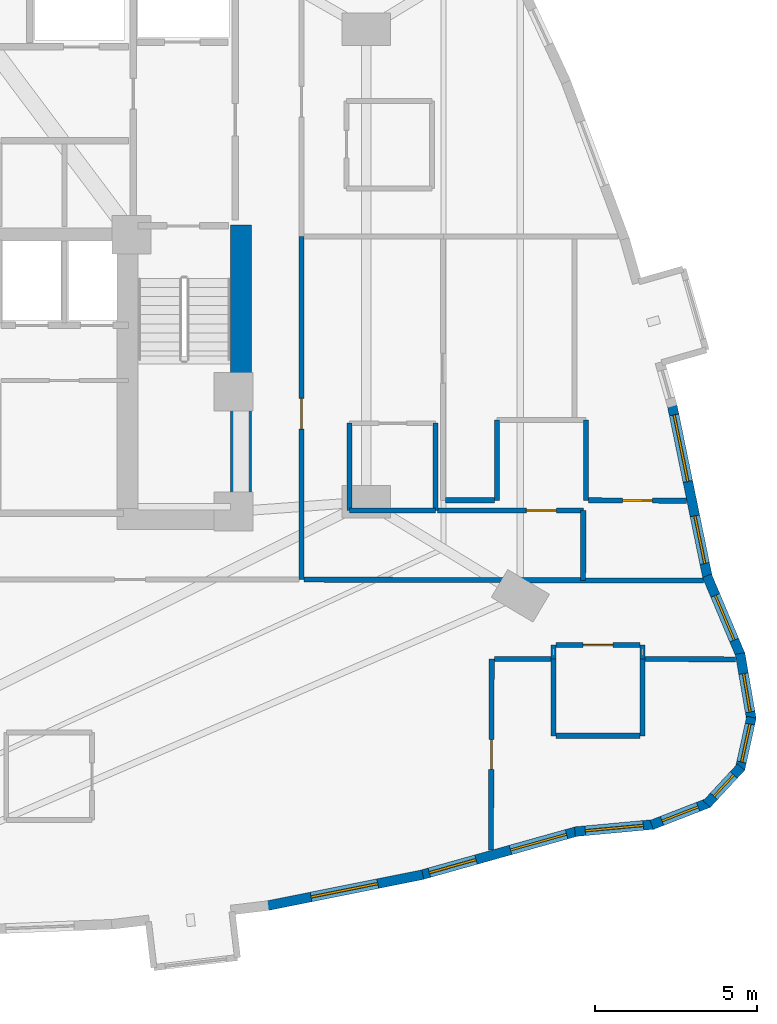
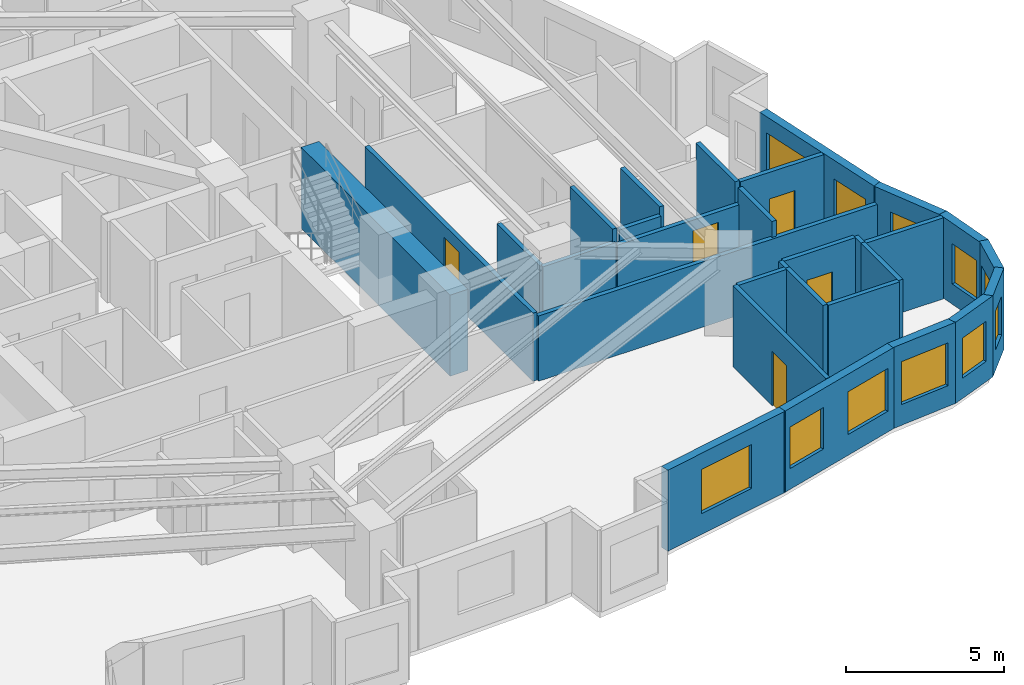
# One storey, part 9 of 13: 30 walls, 11 windows, 5 doors, 16 openings.
"""IFC4 building model written with IfcOpenShell, lengths in metres."""

from ifc_helpers import new_model, si_unit, direction, frame, frame_2d, origin, place, context, subcontext, project, spatial, rectangle, extrude, material, layer, layer_set, type_object, element, fill, save


model = new_model("IFC4")

# Units and contexts
model_context = context("Model", 3, precision=1e-05, world=origin(), true_north=direction((0.0, 1.0)))
body_context = subcontext(model_context, "Body", "Model", "MODEL_VIEW")
ifc_project = project(units=[si_unit("LENGTHUNIT", "METRE"), si_unit("AREAUNIT", "SQUARE_METRE"), si_unit("VOLUMEUNIT", "CUBIC_METRE"), si_unit("PLANEANGLEUNIT", "RADIAN"), si_unit("MASSUNIT", "GRAM", prefix="KILO")], contexts=[model_context])

# Site, building, storey
site_placement = place(None, origin())
site = spatial("IfcSite", under=ifc_project, at=site_placement, CompositionType="ELEMENT")
building_placement = place(site_placement, origin())
building = spatial("IfcBuilding", under=site, at=building_placement, Name="Miruveldt Soraemaru", CompositionType="ELEMENT")
storey_placement = place(building_placement, frame((0.0, 0.0, 59.800048828125)))
storey = spatial("IfcBuildingStorey", under=building, at=storey_placement, Name="L16", CompositionType="ELEMENT", Elevation=59.800048828125)

# Wall
ifc_material_1 = material(Name="Concrete C80/95 (80 MPa)", Category="concrete")
ifc_layer_1 = layer(ifc_material_1, 0.64990234375, Name="Concrete C80/95 (80 MPa)", Category="concrete")
ifc_layer_set_1 = layer_set([ifc_layer_1], Name="Concrete C80/95 (80 MPa)")
wall_type_1 = type_object("IfcWallType", Name="WALL-CW-650", PredefinedType="SHEAR", material=ifc_layer_set_1)
wall_1_placement = place(storey_placement, frame((52.72509765625, 34.949951171875, 0.0), z_axis=(0.0, 0.0, 1.0), x_axis=(0.0, 1.0, 0.0)))
element("IfcWall", 1, at=wall_1_placement, inside=storey, type_object=wall_type_1, Name="L16 Central Core Shear Wall E1", PredefinedType="SHEAR", context=body_context, shape_type="SweptSolid", body=[
    extrude(rectangle(XDim=9.400146484375, YDim=0.64990234375, at=frame_2d((4.7001953125, 0.0))), origin(), (0.0, 0.0, 1.0), 3.125),
])

# Wall, opening, window
ifc_material_2 = material(Name="Precast concrete C45/55 (45 MPa)", Category="concrete")
ifc_layer_2 = layer(ifc_material_2, 0.300048828125, Name="Precast concrete C45/55 (45 MPa)", Category="concrete")
ifc_layer_set_2 = layer_set([ifc_layer_2], Name="Precast concrete C45/55 (45 MPa)")
wall_type_2 = type_object("IfcWallType", Name="WALL-EXT-PC300", PredefinedType="SOLIDWALL", material=ifc_layer_set_2)
wall_2_placement = place(storey_placement, frame((53.50390625, 23.322265625, 0.0), z_axis=(0.0, 0.0, 1.0), x_axis=(0.980580675691, 0.196116135138, 0.0)))
wall_2 = element("IfcWall", 2, at=wall_2_placement, inside=storey, type_object=wall_type_2, Name="L16 Precast Concrete Facade Wall 27", PredefinedType="SOLIDWALL", context=body_context, shape_type="SweptSolid", body=[
    extrude(rectangle(XDim=4.933349609375, YDim=0.300048828125, at=frame_2d((2.466796875, 0.0))), origin(), (0.0, 0.0, 1.0), 3.125),
])
opening_1_placement = place(wall_2_placement, frame((1.416015625, 0.0, 0.800048828125)))
opening_1 = element("IfcOpeningElement", 3, at=opening_1_placement, cuts=wall_2, Name="Opening WN-1", PredefinedType="OPENING", context=body_context, shape_type="SweptSolid", body=[
    extrude(rectangle(XDim=2.10009765625, YDim=1.699951171875, at=frame_2d((1.050048828125, 0.85009765625))), frame((0.0, 0.16015625, 0.0), z_axis=(0.0, -1.0, 0.0), x_axis=(1.0, 0.0, 0.0)), (0.0, 0.0, 1.0), 0.320068359375),
])
ifc_material_3 = material(Name="Triple low-e insulated glazing", Category="glass")
window_type_1 = type_object("IfcWindowType", Name="WIN-PUNCH-2100x1700", PartitioningType="SINGLE_PANEL", PredefinedType="WINDOW", material=ifc_material_3)
window_1_placement = place(opening_1_placement, origin())
window_1 = element("IfcWindow", 4, at=window_1_placement, inside=storey, type_object=window_type_1, Name="L16 Punched Triple-Glazed Window 27.1", OverallHeight=1.699951171875, OverallWidth=2.10009765625, PartitioningType="SINGLE_PANEL", PredefinedType="WINDOW", context=body_context, shape_type="SweptSolid", body=[
    extrude(rectangle(XDim=2.10009765625, YDim=1.699951171875, at=frame_2d((1.050048828125, 0.85009765625))), frame((0.0, 0.030029296875, 0.0), z_axis=(0.0, -1.0, 0.0), x_axis=(1.0, 0.0, 0.0)), (0.0, 0.0, 1.0), 0.06005859375),
])
fill(opening_1, window_1)

# Wall, openings, windows
wall_3_placement = place(storey_placement, frame((58.2734375, 24.2734375, 0.0), z_axis=(0.0, 0.0, 1.0), x_axis=(0.962965029361, 0.269626319614, 0.0)))
wall_3 = element("IfcWall", 5, at=wall_3_placement, inside=storey, type_object=wall_type_2, Name="L16 Precast Concrete Facade Wall 28", PredefinedType="SOLIDWALL", context=body_context, shape_type="SweptSolid", body=[
    extrude(rectangle(XDim=5.022705078125, YDim=0.300048828125, at=frame_2d((2.51123046875, 0.0))), origin(), (0.0, 0.0, 1.0), 3.125),
])
opening_2_placement = place(wall_3_placement, frame((0.281982421875, 0.0, 0.800048828125)))
opening_2 = element("IfcOpeningElement", 6, at=opening_2_placement, cuts=wall_3, Name="Opening WN-3", PredefinedType="OPENING", context=body_context, shape_type="SweptSolid", body=[
    extrude(rectangle(XDim=1.5, YDim=1.60009765625, at=frame_2d((0.75, 0.800048828125))), frame((0.0, 0.16015625, 0.0), z_axis=(0.0, -1.0, 0.0), x_axis=(1.0, 0.0, 0.0)), (0.0, 0.0, 1.0), 0.320068359375),
])
opening_3_placement = place(wall_3_placement, frame((2.884033203125, 0.0, 0.800048828125)))
opening_3 = element("IfcOpeningElement", 7, at=opening_3_placement, cuts=wall_3, Name="Opening WN-2", PredefinedType="OPENING", context=body_context, shape_type="SweptSolid", body=[
    extrude(rectangle(XDim=1.800048828125, YDim=1.64990234375, at=frame_2d((0.89990234375, 0.824951171875))), frame((0.0, 0.16015625, 0.0), z_axis=(0.0, -1.0, 0.0), x_axis=(1.0, 0.0, 0.0)), (0.0, 0.0, 1.0), 0.320068359375),
])
window_type_2 = type_object("IfcWindowType", Name="WIN-PUNCH-1500x1600", PartitioningType="SINGLE_PANEL", PredefinedType="WINDOW", material=ifc_material_3)
window_2_placement = place(opening_2_placement, origin())
window_2 = element("IfcWindow", 8, at=window_2_placement, inside=storey, type_object=window_type_2, Name="L16 Punched Triple-Glazed Window 28.1", OverallHeight=1.60009765625, OverallWidth=1.5, PartitioningType="SINGLE_PANEL", PredefinedType="WINDOW", context=body_context, shape_type="SweptSolid", body=[
    extrude(rectangle(XDim=1.5, YDim=1.60009765625, at=frame_2d((0.75, 0.800048828125))), frame((0.0, 0.030029296875, 0.0), z_axis=(0.0, -1.0, 0.0), x_axis=(1.0, 0.0, 0.0)), (0.0, 0.0, 1.0), 0.06005859375),
])
fill(opening_2, window_2)
window_type_3 = type_object("IfcWindowType", Name="WIN-PUNCH-1800x1650", PartitioningType="SINGLE_PANEL", PredefinedType="WINDOW", material=ifc_material_3)
window_3_placement = place(opening_3_placement, origin())
window_3 = element("IfcWindow", 9, at=window_3_placement, inside=storey, type_object=window_type_3, Name="L16 Punched Triple-Glazed Window 28.2", OverallHeight=1.64990234375, OverallWidth=1.800048828125, PartitioningType="SINGLE_PANEL", PredefinedType="WINDOW", context=body_context, shape_type="SweptSolid", body=[
    extrude(rectangle(XDim=1.800048828125, YDim=1.64990234375, at=frame_2d((0.89990234375, 0.824951171875))), frame((0.0, 0.030029296875, 0.0), z_axis=(0.0, -1.0, 0.0), x_axis=(1.0, 0.0, 0.0)), (0.0, 0.0, 1.0), 0.06005859375),
])
fill(opening_3, window_3)

# Wall, opening, window
wall_4_placement = place(storey_placement, frame((63.04150390625, 25.614990234375, 0.0), z_axis=(0.0, 0.0, 1.0), x_axis=(0.995757962067, 0.092011308982, 0.0)))
wall_4 = element("IfcWall", 10, at=wall_4_placement, inside=storey, type_object=wall_type_2, Name="L16 Precast Concrete Facade Wall 29", PredefinedType="SOLIDWALL", context=body_context, shape_type="SweptSolid", body=[
    extrude(rectangle(XDim=2.446533203125, YDim=0.300048828125, at=frame_2d((1.22314453125, 0.0))), origin(), (0.0, 0.0, 1.0), 3.125),
])
opening_4_placement = place(wall_4_placement, frame((0.323974609375, 0.0, 0.800048828125)))
opening_4 = element("IfcOpeningElement", 11, at=opening_4_placement, cuts=wall_4, Name="Opening WN-2", PredefinedType="OPENING", context=body_context, shape_type="SweptSolid", body=[
    extrude(rectangle(XDim=1.800048828125, YDim=1.64990234375, at=frame_2d((0.89990234375, 0.824951171875))), frame((0.0, 0.16015625, 0.0), z_axis=(0.0, -1.0, 0.0), x_axis=(1.0, 0.0, 0.0)), (0.0, 0.0, 1.0), 0.320068359375),
])
window_4_placement = place(opening_4_placement, origin())
window_4 = element("IfcWindow", 12, at=window_4_placement, inside=storey, type_object=window_type_3, Name="L16 Punched Triple-Glazed Window 29.1", OverallHeight=1.64990234375, OverallWidth=1.800048828125, PartitioningType="SINGLE_PANEL", PredefinedType="WINDOW", context=body_context, shape_type="SweptSolid", body=[
    extrude(rectangle(XDim=1.800048828125, YDim=1.64990234375, at=frame_2d((0.89990234375, 0.824951171875))), frame((0.0, 0.030029296875, 0.0), z_axis=(0.0, -1.0, 0.0), x_axis=(1.0, 0.0, 0.0)), (0.0, 0.0, 1.0), 0.06005859375),
])
fill(opening_4, window_4)

wall_5_placement = place(storey_placement, frame((65.41015625, 25.82421875, 0.0), z_axis=(0.0, 0.0, 1.0), x_axis=(0.932272084915, 0.361757874397, 0.0)))
wall_5 = element("IfcWall", 13, at=wall_5_placement, inside=storey, type_object=wall_type_2, Name="L16 Precast Concrete Facade Wall 30", PredefinedType="SOLIDWALL", context=body_context, shape_type="SweptSolid", body=[
    extrude(rectangle(XDim=1.8828125, YDim=0.300048828125, at=frame_2d((0.94140625, 0.0))), origin(), (0.0, 0.0, 1.0), 3.125),
])
opening_5_placement = place(wall_5_placement, frame((0.342041015625, 0.0, 0.780029296875)))
opening_5 = element("IfcOpeningElement", 14, at=opening_5_placement, cuts=wall_5, Name="Opening WN-4", PredefinedType="OPENING", context=body_context, shape_type="SweptSolid", body=[
    extrude(rectangle(XDim=1.199951171875, YDim=1.550048828125, at=frame_2d((0.60009765625, 0.77490234375))), frame((0.0, 0.16015625, 0.0), z_axis=(0.0, -1.0, 0.0), x_axis=(1.0, 0.0, 0.0)), (0.0, 0.0, 1.0), 0.320068359375),
])
window_type_4 = type_object("IfcWindowType", Name="WIN-PUNCH-1200x1550", PartitioningType="SINGLE_PANEL", PredefinedType="WINDOW", material=ifc_material_3)
window_5_placement = place(opening_5_placement, origin())
window_5 = element("IfcWindow", 15, at=window_5_placement, inside=storey, type_object=window_type_4, Name="L16 Punched Triple-Glazed Window 30.1", OverallHeight=1.550048828125, OverallWidth=1.199951171875, PartitioningType="SINGLE_PANEL", PredefinedType="WINDOW", context=body_context, shape_type="SweptSolid", body=[
    extrude(rectangle(XDim=1.199951171875, YDim=1.550048828125, at=frame_2d((0.60009765625, 0.77490234375))), frame((0.0, 0.030029296875, 0.0), z_axis=(0.0, -1.0, 0.0), x_axis=(1.0, 0.0, 0.0)), (0.0, 0.0, 1.0), 0.06005859375),
])
fill(opening_5, window_5)

wall_6_placement = place(storey_placement, frame((67.109130859375, 26.466796875, 0.0), z_axis=(0.0, 0.0, 1.0), x_axis=(0.68010312741, 0.733116454656, 0.0)))
wall_6 = element("IfcWall", 16, at=wall_6_placement, inside=storey, type_object=wall_type_2, Name="L16 Precast Concrete Facade Wall 31", PredefinedType="SOLIDWALL", context=body_context, shape_type="SweptSolid", body=[
    extrude(rectangle(XDim=1.561279296875, YDim=0.300048828125, at=frame_2d((0.78076171875, 0.0))), origin(), (0.0, 0.0, 1.0), 3.125),
])
opening_6_placement = place(wall_6_placement, frame((0.330078125, 0.0, 0.780029296875)))
opening_6 = element("IfcOpeningElement", 17, at=opening_6_placement, cuts=wall_6, Name="Opening WN-7", PredefinedType="OPENING", context=body_context, shape_type="SweptSolid", body=[
    extrude(rectangle(XDim=0.89990234375, YDim=1.5, at=frame_2d((0.449951171875, 0.75))), frame((0.0, 0.16015625, 0.0), z_axis=(0.0, -1.0, 0.0), x_axis=(1.0, 0.0, 0.0)), (0.0, 0.0, 1.0), 0.320068359375),
])
window_type_5 = type_object("IfcWindowType", Name="WIN-PUNCH-900x1500", PartitioningType="SINGLE_PANEL", PredefinedType="WINDOW", material=ifc_material_3)
window_6_placement = place(opening_6_placement, origin())
window_6 = element("IfcWindow", 18, at=window_6_placement, inside=storey, type_object=window_type_5, Name="L16 Punched Triple-Glazed Window 31.1", OverallHeight=1.5, OverallWidth=0.89990234375, PartitioningType="SINGLE_PANEL", PredefinedType="WINDOW", context=body_context, shape_type="SweptSolid", body=[
    extrude(rectangle(XDim=0.89990234375, YDim=1.5, at=frame_2d((0.449951171875, 0.75))), frame((0.0, 0.030029296875, 0.0), z_axis=(0.0, -1.0, 0.0), x_axis=(1.0, 0.0, 0.0)), (0.0, 0.0, 1.0), 0.06005859375),
])
fill(opening_6, window_6)

wall_7_placement = place(storey_placement, frame((68.1396484375, 27.551513671875, 0.0), z_axis=(0.0, 0.0, 1.0), x_axis=(0.215809114489, 0.976435571916, 0.0)))
wall_7 = element("IfcWall", 19, at=wall_7_placement, inside=storey, type_object=wall_type_2, Name="L16 Precast Concrete Facade Wall 32", PredefinedType="SOLIDWALL", context=body_context, shape_type="SweptSolid", body=[
    extrude(rectangle(XDim=1.636962890625, YDim=0.300048828125, at=frame_2d((0.818359375, 0.0))), origin(), (0.0, 0.0, 1.0), 3.125),
])
opening_7_placement = place(wall_7_placement, frame((0.218994140625, 0.0, 0.780029296875)))
opening_7 = element("IfcOpeningElement", 20, at=opening_7_placement, cuts=wall_7, Name="Opening WN-4", PredefinedType="OPENING", context=body_context, shape_type="SweptSolid", body=[
    extrude(rectangle(XDim=1.199951171875, YDim=1.550048828125, at=frame_2d((0.60009765625, 0.77490234375))), frame((0.0, 0.16015625, 0.0), z_axis=(0.0, -1.0, 0.0), x_axis=(1.0, 0.0, 0.0)), (0.0, 0.0, 1.0), 0.320068359375),
])
window_7_placement = place(opening_7_placement, origin())
window_7 = element("IfcWindow", 21, at=window_7_placement, inside=storey, type_object=window_type_4, Name="L16 Punched Triple-Glazed Window 32.1", OverallHeight=1.550048828125, OverallWidth=1.199951171875, PartitioningType="SINGLE_PANEL", PredefinedType="WINDOW", context=body_context, shape_type="SweptSolid", body=[
    extrude(rectangle(XDim=1.199951171875, YDim=1.550048828125, at=frame_2d((0.60009765625, 0.77490234375))), frame((0.0, 0.030029296875, 0.0), z_axis=(0.0, -1.0, 0.0), x_axis=(1.0, 0.0, 0.0)), (0.0, 0.0, 1.0), 0.06005859375),
])
fill(opening_7, window_7)

wall_8_placement = place(storey_placement, frame((68.4912109375, 29.081298828125, 0.0), z_axis=(0.0, 0.0, 1.0), x_axis=(-0.169321278281, 0.985560908682, 0.0)))
wall_8 = element("IfcWall", 22, at=wall_8_placement, inside=storey, type_object=wall_type_2, Name="L16 Precast Concrete Facade Wall 33", PredefinedType="SOLIDWALL", context=body_context, shape_type="SweptSolid", body=[
    extrude(rectangle(XDim=2.066162109375, YDim=0.300048828125, at=frame_2d((1.033203125, 0.0))), origin(), (0.0, 0.0, 1.0), 3.125),
])
opening_8_placement = place(wall_8_placement, frame((0.235107421875, 0.0, 0.780029296875)))
opening_8 = element("IfcOpeningElement", 23, at=opening_8_placement, cuts=wall_8, Name="Opening WN-4", PredefinedType="OPENING", context=body_context, shape_type="SweptSolid", body=[
    extrude(rectangle(XDim=1.199951171875, YDim=1.550048828125, at=frame_2d((0.60009765625, 0.77490234375))), frame((0.0, 0.16015625, 0.0), z_axis=(0.0, -1.0, 0.0), x_axis=(1.0, 0.0, 0.0)), (0.0, 0.0, 1.0), 0.320068359375),
])
window_8_placement = place(opening_8_placement, origin())
window_8 = element("IfcWindow", 24, at=window_8_placement, inside=storey, type_object=window_type_4, Name="L16 Punched Triple-Glazed Window 33.1", OverallHeight=1.550048828125, OverallWidth=1.199951171875, PartitioningType="SINGLE_PANEL", PredefinedType="WINDOW", context=body_context, shape_type="SweptSolid", body=[
    extrude(rectangle(XDim=1.199951171875, YDim=1.550048828125, at=frame_2d((0.60009765625, 0.77490234375))), frame((0.0, 0.030029296875, 0.0), z_axis=(0.0, -1.0, 0.0), x_axis=(1.0, 0.0, 0.0)), (0.0, 0.0, 1.0), 0.06005859375),
])
fill(opening_8, window_8)

wall_9_placement = place(storey_placement, frame((68.160888671875, 31.051025390625, 0.0), z_axis=(0.0, 0.0, 1.0), x_axis=(-0.388667876127, 0.921377925754, 0.0)))
wall_9 = element("IfcWall", 25, at=wall_9_placement, inside=storey, type_object=wall_type_2, Name="L16 Precast Concrete Facade Wall 34", PredefinedType="SOLIDWALL", context=body_context, shape_type="SweptSolid", body=[
    extrude(rectangle(XDim=2.6796875, YDim=0.300048828125, at=frame_2d((1.33984375, 0.0))), origin(), (0.0, 0.0, 1.0), 3.125),
])
opening_9_placement = place(wall_9_placement, frame((0.52001953125, 0.0, 0.800048828125)))
opening_9 = element("IfcOpeningElement", 26, at=opening_9_placement, cuts=wall_9, Name="Opening WN-3", PredefinedType="OPENING", context=body_context, shape_type="SweptSolid", body=[
    extrude(rectangle(XDim=1.5, YDim=1.60009765625, at=frame_2d((0.75, 0.800048828125))), frame((0.0, 0.16015625, 0.0), z_axis=(0.0, -1.0, 0.0), x_axis=(1.0, 0.0, 0.0)), (0.0, 0.0, 1.0), 0.320068359375),
])
window_9_placement = place(opening_9_placement, origin())
window_9 = element("IfcWindow", 27, at=window_9_placement, inside=storey, type_object=window_type_2, Name="L16 Punched Triple-Glazed Window 34.1", OverallHeight=1.60009765625, OverallWidth=1.5, PartitioningType="SINGLE_PANEL", PredefinedType="WINDOW", context=body_context, shape_type="SweptSolid", body=[
    extrude(rectangle(XDim=1.5, YDim=1.60009765625, at=frame_2d((0.75, 0.800048828125))), frame((0.0, 0.030029296875, 0.0), z_axis=(0.0, -1.0, 0.0), x_axis=(1.0, 0.0, 0.0)), (0.0, 0.0, 1.0), 0.06005859375),
])
fill(opening_9, window_9)

# Wall, openings, windows
wall_10_placement = place(storey_placement, frame((67.14013671875, 33.45361328125, 0.0), z_axis=(0.0, 0.0, 1.0), x_axis=(-0.201576162265, 0.979472843323, 0.0)))
wall_10 = element("IfcWall", 28, at=wall_10_placement, inside=storey, type_object=wall_type_2, Name="L16 Precast Concrete Facade Wall 35", PredefinedType="SOLIDWALL", context=body_context, shape_type="SweptSolid", body=[
    extrude(rectangle(XDim=5.474365234375, YDim=0.300048828125, at=frame_2d((2.7373046875, 0.0))), origin(), (0.0, 0.0, 1.0), 3.125),
])
opening_10_placement = place(wall_10_placement, frame((0.4541015625, 0.0, 0.800048828125)))
opening_10 = element("IfcOpeningElement", 29, at=opening_10_placement, cuts=wall_10, Name="Opening WN-3", PredefinedType="OPENING", context=body_context, shape_type="SweptSolid", body=[
    extrude(rectangle(XDim=1.5, YDim=1.60009765625, at=frame_2d((0.75, 0.800048828125))), frame((0.0, 0.16015625, 0.0), z_axis=(0.0, -1.0, 0.0), x_axis=(1.0, 0.0, 0.0)), (0.0, 0.0, 1.0), 0.320068359375),
])
opening_11_placement = place(wall_10_placement, frame((3.0380859375, 0.0, 0.800048828125)))
opening_11 = element("IfcOpeningElement", 30, at=opening_11_placement, cuts=wall_10, Name="Opening WN-1", PredefinedType="OPENING", context=body_context, shape_type="SweptSolid", body=[
    extrude(rectangle(XDim=2.10009765625, YDim=1.699951171875, at=frame_2d((1.050048828125, 0.85009765625))), frame((0.0, 0.16015625, 0.0), z_axis=(0.0, -1.0, 0.0), x_axis=(1.0, 0.0, 0.0)), (0.0, 0.0, 1.0), 0.320068359375),
])
window_10_placement = place(opening_10_placement, origin())
window_10 = element("IfcWindow", 31, at=window_10_placement, inside=storey, type_object=window_type_2, Name="L16 Punched Triple-Glazed Window 35.1", OverallHeight=1.60009765625, OverallWidth=1.5, PartitioningType="SINGLE_PANEL", PredefinedType="WINDOW", context=body_context, shape_type="SweptSolid", body=[
    extrude(rectangle(XDim=1.5, YDim=1.60009765625, at=frame_2d((0.75, 0.800048828125))), frame((0.0, 0.030029296875, 0.0), z_axis=(0.0, -1.0, 0.0), x_axis=(1.0, 0.0, 0.0)), (0.0, 0.0, 1.0), 0.06005859375),
])
fill(opening_10, window_10)
window_11_placement = place(opening_11_placement, origin())
window_11 = element("IfcWindow", 32, at=window_11_placement, inside=storey, type_object=window_type_1, Name="L16 Punched Triple-Glazed Window 35.2", OverallHeight=1.699951171875, OverallWidth=2.10009765625, PartitioningType="SINGLE_PANEL", PredefinedType="WINDOW", context=body_context, shape_type="SweptSolid", body=[
    extrude(rectangle(XDim=2.10009765625, YDim=1.699951171875, at=frame_2d((1.050048828125, 0.85009765625))), frame((0.0, 0.030029296875, 0.0), z_axis=(0.0, -1.0, 0.0), x_axis=(1.0, 0.0, 0.0)), (0.0, 0.0, 1.0), 0.06005859375),
])
fill(opening_11, window_11)

# Walls
ifc_material_4 = material(Name="Gypsum plasterboard lining", Category="gypsum")
ifc_layer_3 = layer(ifc_material_4, 0.14990234375, Name="Gypsum plasterboard lining", Category="gypsum")
ifc_layer_set_3 = layer_set([ifc_layer_3], Name="Gypsum plasterboard lining")
wall_type_3 = type_object("IfcWallType", Name="WALL-INT-PLUMB", PredefinedType="PLUMBINGWALL", material=ifc_layer_set_3)
wall_11_placement = place(storey_placement, frame((58.72998046875, 35.530029296875, 0.0), z_axis=(0.0, 0.0, 1.0), x_axis=(0.0, 1.0, 0.0)))
element("IfcWall", 33, at=wall_11_placement, inside=storey, type_object=wall_type_3, Name="L16 Partition Wall 58", PredefinedType="PLUMBINGWALL", context=body_context, shape_type="SweptSolid", body=[
    extrude(rectangle(XDim=2.699951171875, YDim=0.14990234375, at=frame_2d((1.35009765625, 0.0))), origin(), (0.0, 0.0, 1.0), 3.125),
])
wall_12_placement = place(storey_placement, frame((56.080078125, 38.22998046875, 0.0), z_axis=(0.0, 0.0, 1.0), x_axis=(0.0, -1.0, 0.0)))
element("IfcWall", 34, at=wall_12_placement, inside=storey, type_object=wall_type_3, Name="L16 Partition Wall 60", PredefinedType="PLUMBINGWALL", context=body_context, shape_type="SweptSolid", body=[
    extrude(rectangle(XDim=2.699951171875, YDim=0.14990234375, at=frame_2d((1.35009765625, 0.0))), origin(), (0.0, 0.0, 1.0), 2.625),
])
wall_13_placement = place(storey_placement, frame((56.080078125, 35.530029296875, 0.0), z_axis=(0.0, 0.0, 1.0), x_axis=(1.0, 0.0, 0.0)))
element("IfcWall", 35, at=wall_13_placement, inside=storey, type_object=wall_type_3, Name="L16 Partition Wall 61", PredefinedType="PLUMBINGWALL", context=body_context, shape_type="SweptSolid", body=[
    extrude(rectangle(XDim=2.64990234375, YDim=0.14990234375, at=frame_2d((1.324951171875, 0.0))), origin(), (0.0, 0.0, 1.0), 2.625),
])

# Wall, opening, door
ifc_material_5 = material(Name="Concrete C40/50 (40 MPa)", Category="concrete")
ifc_layer_4 = layer(ifc_material_5, 0.159912109375, Name="Concrete C40/50 (40 MPa)", Category="concrete")
ifc_layer_set_4 = layer_set([ifc_layer_4], Name="Concrete C40/50 (40 MPa)")
wall_type_4 = type_object("IfcWallType", Name="WALL-INT-RC160", PredefinedType="SOLIDWALL", material=ifc_layer_set_4)
wall_14_placement = place(storey_placement, frame((54.60009765625, 33.403076171875, 0.0), z_axis=(0.0, 0.0, 1.0), x_axis=(0.0, 1.0, 0.0)))
wall_14 = element("IfcWall", 36, at=wall_14_placement, inside=storey, type_object=wall_type_4, Name="L16 Partition Wall 5", PredefinedType="SOLIDWALL", context=body_context, shape_type="SweptSolid", body=[
    extrude(rectangle(XDim=10.596923828125, YDim=0.159912109375, at=frame_2d((5.29833984375, 0.0))), origin(), (0.0, 0.0, 1.0), 2.625),
])
opening_12_placement = place(wall_14_placement, frame((4.64404296875, 0.0, 0.0)))
opening_12 = element("IfcOpeningElement", 37, at=opening_12_placement, cuts=wall_14, Name="Opening FD2", PredefinedType="OPENING", context=body_context, shape_type="SweptSolid", body=[
    extrude(rectangle(XDim=0.949951171875, YDim=2.14990234375, at=frame_2d((0.47509765625, 1.074951171875))), frame((0.0, 0.08984375, 0.0), z_axis=(0.0, -1.0, 0.0), x_axis=(1.0, 0.0, 0.0)), (0.0, 0.0, 1.0), 0.179931640625),
])
ifc_material_6 = material(Name="Anodised aluminium EN AW-6063 T6", Category="aluminium")
door_type_1 = type_object("IfcDoorType", Name="DOOR-FD2-950", OperationType="NOTDEFINED", PredefinedType="DOOR", material=ifc_material_6)
door_1_placement = place(opening_12_placement, origin())
door_1 = element("IfcDoor", 38, at=door_1_placement, inside=storey, type_object=door_type_1, Name="L16 Unit 1606 Entrance Fire Door", OperationType="SINGLE_SWING_LEFT", OverallHeight=2.14990234375, OverallWidth=0.949951171875, PredefinedType="DOOR", context=body_context, shape_type="SweptSolid", body=[
    extrude(rectangle(XDim=0.949951171875, YDim=2.14990234375, at=frame_2d((0.47509765625, 1.074951171875))), frame((0.0, 0.02490234375, 0.0), z_axis=(0.0, -1.0, 0.0), x_axis=(1.0, 0.0, 0.0)), (0.0, 0.0, 1.0), 0.050048828125),
])
fill(opening_12, door_1)

wall_15_placement = place(storey_placement, frame((60.448974609375, 25.053955078125, 0.0), z_axis=(0.0, 0.0, 1.0), x_axis=(0.00389231006, 0.999992424933, 0.0)))
wall_15 = element("IfcWall", 39, at=wall_15_placement, inside=storey, type_object=wall_type_4, Name="L16 Partition Wall 87", PredefinedType="SOLIDWALL", context=body_context, shape_type="SweptSolid", body=[
    extrude(rectangle(XDim=5.89599609375, YDim=0.159912109375, at=frame_2d((2.947998046875, 0.0))), origin(), (0.0, 0.0, 1.0), 3.125),
])
opening_13_placement = place(wall_15_placement, frame((2.488037109375, 0.0, 0.0)))
opening_13 = element("IfcOpeningElement", 40, at=opening_13_placement, cuts=wall_15, Name="Opening D3A", PredefinedType="OPENING", context=body_context, shape_type="SweptSolid", body=[
    extrude(rectangle(XDim=0.919921875, YDim=2.10009765625, at=frame_2d((0.4599609375, 1.050048828125))), frame((0.0, 0.08984375, 0.0), z_axis=(0.0, -1.0, 0.0), x_axis=(1.0, 0.0, 0.0)), (0.0, 0.0, 1.0), 0.179931640625),
])
door_type_2 = type_object("IfcDoorType", Name="DOOR-INT-920", OperationType="NOTDEFINED", PredefinedType="DOOR", material=ifc_material_6)
door_2_placement = place(opening_13_placement, origin())
door_2 = element("IfcDoor", 41, at=door_2_placement, inside=storey, type_object=door_type_2, Name="L16 Unit 1609 BD1 Door", OperationType="SINGLE_SWING_RIGHT", OverallHeight=2.10009765625, OverallWidth=0.919921875, PredefinedType="DOOR", context=body_context, shape_type="SweptSolid", body=[
    extrude(rectangle(XDim=0.919921875, YDim=2.10009765625, at=frame_2d((0.4599609375, 1.050048828125))), frame((0.0, 0.02490234375, 0.0), z_axis=(0.0, -1.0, 0.0), x_axis=(1.0, 0.0, 0.0)), (0.0, 0.0, 1.0), 0.050048828125),
])
fill(opening_13, door_2)

wall_16_placement = place(storey_placement, frame((58.7900390625, 35.530029296875, 0.0), z_axis=(0.0, 0.0, 1.0), x_axis=(1.0, 0.0, 0.0)))
wall_16 = element("IfcWall", 42, at=wall_16_placement, inside=storey, type_object=wall_type_4, Name="L16 Partition Wall 62", PredefinedType="SOLIDWALL", context=body_context, shape_type="SweptSolid", body=[
    extrude(rectangle(XDim=4.510009765625, YDim=0.159912109375, at=frame_2d((2.2548828125, 0.0))), origin(), (0.0, 0.0, 1.0), 2.512939453125),
])
opening_14_placement = place(wall_16_placement, frame((2.7548828125, 0.0, 0.0)))
opening_14 = element("IfcOpeningElement", 43, at=opening_14_placement, cuts=wall_16, Name="Opening D3A", PredefinedType="OPENING", context=body_context, shape_type="SweptSolid", body=[
    extrude(rectangle(XDim=0.919921875, YDim=2.10009765625, at=frame_2d((0.4599609375, 1.050048828125))), frame((0.0, 0.08984375, 0.0), z_axis=(0.0, -1.0, 0.0), x_axis=(1.0, 0.0, 0.0)), (0.0, 0.0, 1.0), 0.179931640625),
])
door_3_placement = place(opening_14_placement, origin())
door_3 = element("IfcDoor", 44, at=door_3_placement, inside=storey, type_object=door_type_2, Name="L16 Unit 1606 KIT Door", OperationType="SINGLE_SWING_LEFT", OverallHeight=2.10009765625, OverallWidth=0.919921875, PredefinedType="DOOR", context=body_context, shape_type="SweptSolid", body=[
    extrude(rectangle(XDim=0.919921875, YDim=2.10009765625, at=frame_2d((0.4599609375, 1.050048828125))), frame((0.0, 0.02490234375, 0.0), z_axis=(0.0, -1.0, 0.0), x_axis=(1.0, 0.0, 0.0)), (0.0, 0.0, 1.0), 0.050048828125),
])
fill(opening_14, door_3)

wall_17_placement = place(storey_placement, frame((66.48193359375, 35.8330078125, 0.0), z_axis=(0.0, 0.0, 1.0), x_axis=(-0.99998400977, 0.005655104272, 0.0)))
wall_17 = element("IfcWall", 45, at=wall_17_placement, inside=storey, type_object=wall_type_4, Name="L16 Partition Wall 65", PredefinedType="SOLIDWALL", context=body_context, shape_type="SweptSolid", body=[
    extrude(rectangle(XDim=3.02197265625, YDim=0.159912109375, at=frame_2d((1.510986328125, 0.0))), origin(), (0.0, 0.0, 1.0), 3.125),
])
opening_15_placement = place(wall_17_placement, frame((1.051025390625, 0.0, 0.0)))
opening_15 = element("IfcOpeningElement", 46, at=opening_15_placement, cuts=wall_17, Name="Opening D3A", PredefinedType="OPENING", context=body_context, shape_type="SweptSolid", body=[
    extrude(rectangle(XDim=0.919921875, YDim=2.10009765625, at=frame_2d((0.4599609375, 1.050048828125))), frame((0.0, 0.08984375, 0.0), z_axis=(0.0, -1.0, 0.0), x_axis=(1.0, 0.0, 0.0)), (0.0, 0.0, 1.0), 0.179931640625),
])
door_4_placement = place(opening_15_placement, origin())
door_4 = element("IfcDoor", 47, at=door_4_placement, inside=storey, type_object=door_type_2, Name="L16 Unit 1606 BD2 Door", OperationType="SINGLE_SWING_LEFT", OverallHeight=2.10009765625, OverallWidth=0.919921875, PredefinedType="DOOR", context=body_context, shape_type="SweptSolid", body=[
    extrude(rectangle(XDim=0.919921875, YDim=2.10009765625, at=frame_2d((0.4599609375, 1.050048828125))), frame((0.0, 0.02490234375, 0.0), z_axis=(0.0, -1.0, 0.0), x_axis=(1.0, 0.0, 0.0)), (0.0, 0.0, 1.0), 0.050048828125),
])
fill(opening_15, door_4)

wall_18_placement = place(storey_placement, frame((65.050048828125, 31.3779296875, 0.0), z_axis=(0.0, 0.0, 1.0), x_axis=(-1.0, 0.0, 0.0)))
wall_18 = element("IfcWall", 48, at=wall_18_placement, inside=storey, type_object=wall_type_4, Name="L16 Partition Wall 85", PredefinedType="SOLIDWALL", context=body_context, shape_type="SweptSolid", body=[
    extrude(rectangle(XDim=2.590087890625, YDim=0.159912109375, at=frame_2d((1.294921875, 0.0))), origin(), (0.0, 0.0, 1.0), 3.125),
])
opening_16_placement = place(wall_18_placement, frame((0.8349609375, 0.0, 0.0)))
opening_16 = element("IfcOpeningElement", 49, at=opening_16_placement, cuts=wall_18, Name="Opening D3A", PredefinedType="OPENING", context=body_context, shape_type="SweptSolid", body=[
    extrude(rectangle(XDim=0.919921875, YDim=2.10009765625, at=frame_2d((0.4599609375, 1.050048828125))), frame((0.0, 0.08984375, 0.0), z_axis=(0.0, -1.0, 0.0), x_axis=(1.0, 0.0, 0.0)), (0.0, 0.0, 1.0), 0.179931640625),
])
door_5_placement = place(opening_16_placement, origin())
door_5 = element("IfcDoor", 50, at=door_5_placement, inside=storey, type_object=door_type_2, Name="L16 Unit 1609 KIT Door", OperationType="SINGLE_SWING_LEFT", OverallHeight=2.10009765625, OverallWidth=0.919921875, PredefinedType="DOOR", context=body_context, shape_type="SweptSolid", body=[
    extrude(rectangle(XDim=0.919921875, YDim=2.10009765625, at=frame_2d((0.4599609375, 1.050048828125))), frame((0.0, 0.02490234375, 0.0), z_axis=(0.0, -1.0, 0.0), x_axis=(1.0, 0.0, 0.0)), (0.0, 0.0, 1.0), 0.050048828125),
])
fill(opening_16, door_5)

# Walls
wall_19_placement = place(storey_placement, frame((54.679931640625, 33.39990234375, 0.0), z_axis=(0.0, 0.0, 1.0), x_axis=(0.999996632645, -0.002595129834, 0.0)))
element("IfcWall", 51, at=wall_19_placement, inside=storey, type_object=wall_type_4, Name="L16 Partition Wall 67", PredefinedType="SOLIDWALL", context=body_context, shape_type="SweptSolid", body=[
    extrude(rectangle(XDim=12.323974609375, YDim=0.159912109375, at=frame_2d((6.162109375, 0.0))), origin(), (0.0, 0.0, 1.0), 2.512939453125),
])
wall_20_placement = place(storey_placement, frame((65.2099609375, 30.949951171875, 0.0), z_axis=(0.0, 0.0, 1.0), x_axis=(0.999987604833, -0.004978973923, 0.0)))
element("IfcWall", 52, at=wall_20_placement, inside=storey, type_object=wall_type_4, Name="L16 Partition Wall 89", PredefinedType="SOLIDWALL", context=body_context, shape_type="SweptSolid", body=[
    extrude(rectangle(XDim=2.794921875, YDim=0.159912109375, at=frame_2d((1.3974609375, 0.0))), origin(), (0.0, 0.0, 1.0), 3.125),
])
wall_21_placement = place(storey_placement, frame((62.4599609375, 28.577880859375, 0.0), z_axis=(0.0, 0.0, 1.0), x_axis=(1.0, 0.0, 0.0)))
element("IfcWall", 53, at=wall_21_placement, inside=storey, type_object=wall_type_4, Name="L16 Partition Wall 91", PredefinedType="SOLIDWALL", context=body_context, shape_type="SweptSolid", body=[
    extrude(rectangle(XDim=2.590087890625, YDim=0.159912109375, at=frame_2d((1.294921875, 0.0))), origin(), (0.0, 0.0, 1.0), 3.125),
])
for number, where, z_axis, x_axis, name in (
    (54, (60.6298828125, 38.330078125, 0.0), (0.0, 0.0, 1.0), (0.0, -1.0, 0.0), "L16 Partition Wall 68"),
    (55, (63.3798828125, 35.85009765625, 0.0), (0.0, 0.0, 1.0), (0.0, 1.0, 0.0), "L16 Partition Wall 69"),
):
    element("IfcWall", number, at=place(storey_placement, frame(where, z_axis=z_axis, x_axis=x_axis)), inside=storey, type_object=wall_type_4, Name=name, PredefinedType="SOLIDWALL", context=body_context, shape_type="SweptSolid", body=[
        extrude(rectangle(XDim=2.47998046875, YDim=0.159912109375, at=frame_2d((1.239990234375, 0.0))), origin(), (0.0, 0.0, 1.0), 3.125),
    ])
for number, where, z_axis, x_axis, name in (
    (56, (62.3798828125, 30.949951171875, 0.0), (0.0, 0.0, 1.0), (0.0, -1.0, 0.0), "L16 Partition Wall 90"),
    (57, (65.1298828125, 28.577880859375, 0.0), (0.0, 0.0, 1.0), (0.0, 1.0, 0.0), "L16 Partition Wall 92"),
):
    element("IfcWall", number, at=place(storey_placement, frame(where, z_axis=z_axis, x_axis=x_axis)), inside=storey, type_object=wall_type_4, Name=name, PredefinedType="SOLIDWALL", context=body_context, shape_type="SweptSolid", body=[
        extrude(rectangle(XDim=2.3720703125, YDim=0.159912109375, at=frame_2d((1.18603515625, 0.0))), origin(), (0.0, 0.0, 1.0), 3.125),
    ])
wall_22_placement = place(storey_placement, frame((63.300048828125, 35.530029296875, 0.0), z_axis=(0.0, 0.0, 1.0), x_axis=(-0.002608884044, -0.999996596856, 0.0)))
element("IfcWall", 58, at=wall_22_placement, inside=storey, type_object=wall_type_4, Name="L16 Partition Closure Return 1", PredefinedType="SOLIDWALL", context=body_context, shape_type="SweptSolid", body=[
    extrude(rectangle(XDim=2.15234375, YDim=0.159912109375, at=frame_2d((1.076171875, 0.0))), origin(), (0.0, 0.0, 1.0), 3.125),
])
wall_23_placement = place(storey_placement, frame((60.552001953125, 30.949951171875, 0.0), z_axis=(0.0, 0.0, 1.0), x_axis=(1.0, 0.0, 0.0)))
element("IfcWall", 59, at=wall_23_placement, inside=storey, type_object=wall_type_4, Name="L16 Partition Wall 88", PredefinedType="SOLIDWALL", context=body_context, shape_type="SweptSolid", body=[
    extrude(rectangle(XDim=1.748046875, YDim=0.159912109375, at=frame_2d((0.8740234375, 0.0))), origin(), (0.0, 0.0, 1.0), 3.125),
])
wall_24_placement = place(storey_placement, frame((60.550048828125, 35.85009765625, 0.0), z_axis=(0.0, 0.0, 1.0), x_axis=(-1.0, 0.0, 0.0)))
element("IfcWall", 60, at=wall_24_placement, inside=storey, type_object=wall_type_4, Name="L16 Partition Wall 63", PredefinedType="SOLIDWALL", context=body_context, shape_type="SweptSolid", body=[
    extrude(rectangle(XDim=1.5009765625, YDim=0.159912109375, at=frame_2d((0.75048828125, 0.0))), origin(), (0.0, 0.0, 1.0), 2.81298828125),
])
for number, where, z_axis, x_axis, name in (
    (61, (65.1298828125, 30.949951171875, 0.0), (0.0, 0.0, 1.0), (0.0, 1.0, 0.0), "L16 Partition Wall 84"),
    (62, (62.3798828125, 31.3779296875, 0.0), (0.0, 0.0, 1.0), (0.0, -1.0, 0.0), "L16 Partition Wall 86"),
):
    element("IfcWall", number, at=place(storey_placement, frame(where, z_axis=z_axis, x_axis=x_axis)), inside=storey, type_object=wall_type_4, Name=name, PredefinedType="SOLIDWALL", context=body_context, shape_type="SweptSolid", body=[
        extrude(rectangle(XDim=0.427978515625, YDim=0.159912109375, at=frame_2d((0.2138671875, 0.0))), origin(), (0.0, 0.0, 1.0), 3.125),
    ])

save(model, "model.ifc")
